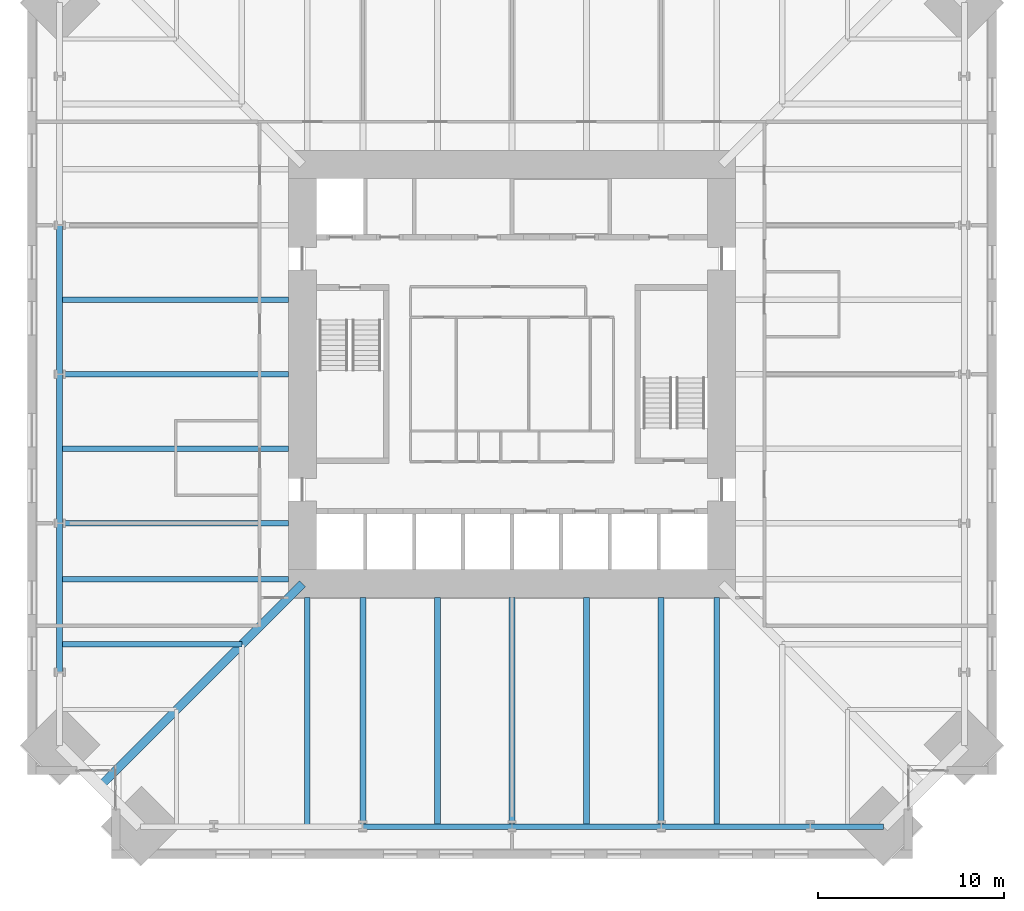
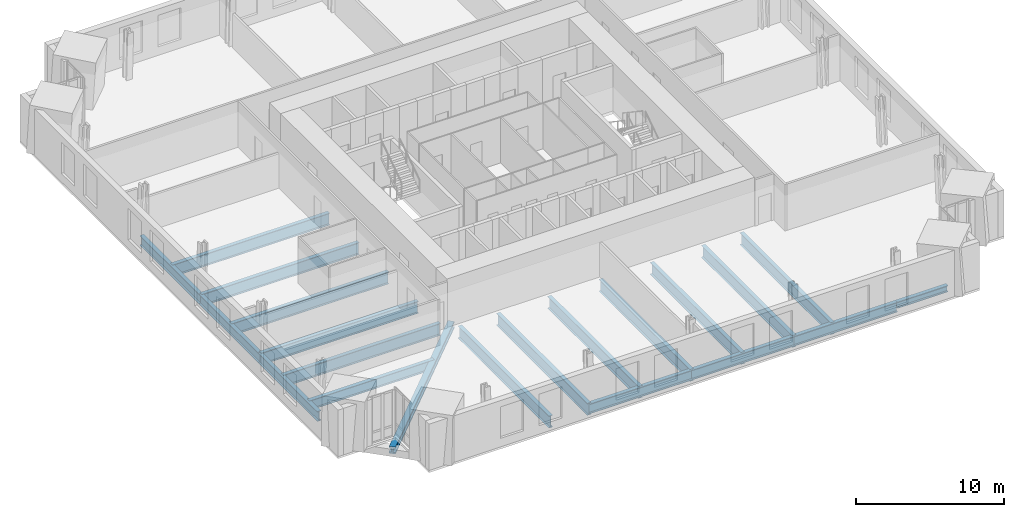
# One storey, part 3 of 18: 21 beams.
"""IFC4 building model written with IfcOpenShell, lengths in metres."""

from ifc_helpers import new_model, si_unit, direction, frame, origin, origin_2d, place, context, subcontext, project, spatial, i_section, extrude, material, material_profile, profile_set, type_object, element, save


model = new_model("IFC4")

# Units and contexts
model_context = context("Model", 3, precision=1e-05, world=origin(), true_north=direction((0.0, 1.0)))
body_context = subcontext(model_context, "Body", "Model", "MODEL_VIEW")
ifc_project = project(units=[si_unit("LENGTHUNIT", "METRE"), si_unit("AREAUNIT", "SQUARE_METRE"), si_unit("VOLUMEUNIT", "CUBIC_METRE"), si_unit("PLANEANGLEUNIT", "RADIAN"), si_unit("MASSUNIT", "GRAM", prefix="KILO")], contexts=[model_context])

# Site, building, storey
site_placement = place(None, origin())
site = spatial("IfcSite", under=ifc_project, at=site_placement, CompositionType="ELEMENT")
building_placement = place(site_placement, origin())
building = spatial("IfcBuilding", under=site, at=building_placement, Name="Peilmerk Tower", CompositionType="ELEMENT")
storey_placement = place(building_placement, frame((0.0, 0.0, 163.800048828125)))
storey = spatial("IfcBuildingStorey", under=building, at=storey_placement, Name="L34", CompositionType="ELEMENT", Elevation=163.800048828125)

# Beams
ifc_material_1 = material(Name="Steel S355", Category="steel")
ifc_material_profile_1 = material_profile(ifc_material_1, i_section(OverallWidth=0.300048828125, OverallDepth=0.989990234375, WebThickness=0.0166015625, FlangeThickness=0.031005859375, at=origin_2d()), Name="HEA 1000")
ifc_profile_set_1 = profile_set([ifc_material_profile_1], Name="Steel S355")
beam_type_1 = type_object("IfcBeamType", Name="B14 HEA 1000 floor girder", PredefinedType="BEAM", material=ifc_profile_set_1)
for number, where, z_axis, x_axis, name in (
    (1, (-11.0, -12.0, -0.6650390625), (0.0, -1.0, 0.0), (1.0, 0.0, 0.0), "Floor beam L34"),
    (2, (-8.0, -12.0, -0.6650390625), (0.0, -1.0, 0.0), (1.0, 0.0, 0.0), "Floor beam L34"),
    (3, (-4.0, -12.0, -0.6650390625), (0.0, -1.0, 0.0), (1.0, 0.0, 0.0), "Floor beam L34"),
    (4, (0.0, -12.0, -0.6650390625), (0.0, -1.0, 0.0), (1.0, 0.0, 0.0), "Floor beam L34"),
    (5, (4.0, -12.0, -0.6650390625), (0.0, -1.0, 0.0), (1.0, 0.0, 0.0), "Floor beam L34"),
    (6, (8.0, -12.0, -0.6650390625), (0.0, -1.0, 0.0), (1.0, 0.0, 0.0), "Floor beam L34"),
    (7, (11.0, -12.0, -0.6650390625), (0.0, -1.0, 0.0), (1.0, 0.0, 0.0), "Floor beam L34"),
    (8, (-12.0, 4.0, -0.6650390625), (-1.0, 0.0, 0.0), (0.0, -1.0, 0.0), "Floor beam L34"),
    (9, (-12.0, 0.0, -0.6650390625), (-1.0, 0.0, 0.0), (0.0, -1.0, 0.0), "Floor beam L34"),
    (10, (-12.0, -4.0, -0.6650390625), (-1.0, 0.0, 0.0), (0.0, -1.0, 0.0), "Floor beam L34"),
    (11, (-12.0, -8.0, -0.6650390625), (-1.0, 0.0, 0.0), (0.0, -1.0, 0.0), "Floor beam L34"),
    (12, (-12.0, -11.0, -0.6650390625), (-1.0, 0.0, 0.0), (0.0, -1.0, 0.0), "Floor beam L34"),
):
    element("IfcBeam", number, at=place(storey_placement, frame(where, z_axis=z_axis, x_axis=x_axis)), inside=storey, type_object=beam_type_1, Name=name, PredefinedType="BEAM", context=body_context, shape_type="SweptSolid", body=[
        extrude(i_section(OverallWidth=0.300048828125, OverallDepth=0.989990234375, WebThickness=0.0166015625, FlangeThickness=0.031005859375, at=origin_2d()), origin(), (0.0, 0.0, 1.0), 12.2919921875),
    ])
ifc_material_profile_2 = material_profile(ifc_material_1, i_section(OverallWidth=0.302978515625, OverallDepth=0.81396484375, WebThickness=0.02099609375, FlangeThickness=0.0400390625, at=origin_2d()), Name="HEM 800")
ifc_profile_set_2 = profile_set([ifc_material_profile_2], Name="Steel S355")
beam_type_2 = type_object("IfcBeamType", Name="B15 HEM 800 edge beam", PredefinedType="SPANDREL", material=ifc_profile_set_2)
for number, where, z_axis, x_axis, name in (
    (13, (-8.0, -24.2919921875, -0.5771484375), (1.0, 0.0, 0.0), (0.0, 1.0, 0.0), "Edge beam L34"),
    (14, (0.0, -24.2919921875, -0.5771484375), (1.0, 0.0, 0.0), (0.0, 1.0, 0.0), "Edge beam L34"),
    (15, (8.0, -24.2919921875, -0.5771484375), (1.0, 0.0, 0.0), (0.0, 1.0, 0.0), "Edge beam L34"),
    (16, (-24.2919921875, 8.0, -0.5771484375), (0.0, -1.0, 0.0), (1.0, 0.0, 0.0), "Edge beam L34"),
    (17, (-24.2919921875, 0.0, -0.5771484375), (0.0, -1.0, 0.0), (1.0, 0.0, 0.0), "Edge beam L34"),
    (18, (-24.2919921875, -8.0, -0.5771484375), (0.0, -1.0, 0.0), (1.0, 0.0, 0.0), "Edge beam L34"),
):
    element("IfcBeam", number, at=place(storey_placement, frame(where, z_axis=z_axis, x_axis=x_axis)), inside=storey, type_object=beam_type_2, Name=name, PredefinedType="SPANDREL", context=body_context, shape_type="SweptSolid", body=[
        extrude(i_section(OverallWidth=0.302978515625, OverallDepth=0.81396484375, WebThickness=0.02099609375, FlangeThickness=0.0400390625, at=origin_2d()), origin(), (0.0, 0.0, 1.0), 8.0),
    ])
ifc_material_profile_3 = material_profile(ifc_material_1, i_section(OverallWidth=0.300048828125, OverallDepth=0.7900390625, WebThickness=0.014892578125, FlangeThickness=0.028076171875, at=origin_2d()), Name="HEA 800")
ifc_profile_set_3 = profile_set([ifc_material_profile_3], Name="Steel S355")
beam_type_3 = type_object("IfcBeamType", Name="B3 HEA 800 floor beam", PredefinedType="BEAM", material=ifc_profile_set_3)
beam_1_placement = place(storey_placement, frame((-14.5, -14.5, -0.56494140625), z_axis=(-1.0, 0.0, 0.0), x_axis=(0.0, -1.0, 0.0)))
element("IfcBeam", 19, at=beam_1_placement, inside=storey, type_object=beam_type_3, Name="Floor beam L34", PredefinedType="BEAM", context=body_context, shape_type="SweptSolid", body=[
    extrude(i_section(OverallWidth=0.300048828125, OverallDepth=0.7900390625, WebThickness=0.014892578125, FlangeThickness=0.028076171875, at=origin_2d()), origin(), (0.0, 0.0, 1.0), 9.7919921875),
])
ifc_material_profile_4 = material_profile(ifc_material_1, i_section(OverallWidth=0.305908203125, OverallDepth=0.52392578125, WebThickness=0.02099609375, FlangeThickness=0.0400390625, at=origin_2d()), Name="HEM 500")
ifc_profile_set_4 = profile_set([ifc_material_profile_4], Name="Steel S355")
beam_type_4 = type_object("IfcBeamType", Name="B33 HEM 500 edge beam", PredefinedType="SPANDREL", material=ifc_profile_set_4)
beam_2_placement = place(storey_placement, frame((16.0, -24.2919921875, -0.43212890625), z_axis=(1.0, 0.0, 0.0), x_axis=(0.0, 1.0, 0.0)))
element("IfcBeam", 20, at=beam_2_placement, inside=storey, type_object=beam_type_4, Name="Edge beam L34", PredefinedType="SPANDREL", context=body_context, shape_type="SweptSolid", body=[
    extrude(i_section(OverallWidth=0.305908203125, OverallDepth=0.52392578125, WebThickness=0.02099609375, FlangeThickness=0.0400390625, at=origin_2d()), origin(), (0.0, 0.0, 1.0), 3.94189453125),
])
ifc_material_2 = material(Name="Steel S460", Category="steel")
ifc_material_profile_5 = material_profile(ifc_material_2, i_section(OverallWidth=0.4541015625, OverallDepth=0.569091796875, WebThickness=0.077880859375, FlangeThickness=0.125, at=origin_2d()), Name="HD 400x1086")
ifc_profile_set_5 = profile_set([ifc_material_profile_5], Name="Steel S460")
beam_type_5 = type_object("IfcBeamType", Name="B9 HD 400x1086 corner girder", PredefinedType="BEAM", material=ifc_profile_set_5)
beam_3_placement = place(storey_placement, frame((-11.25, -11.25, -0.45458984375), z_axis=(-0.707106781187, -0.707106781187, 0.0), x_axis=(0.707106781187, -0.707106781187, 0.0)))
element("IfcBeam", 21, at=beam_3_placement, inside=storey, type_object=beam_type_5, Name="Corner girder L34", PredefinedType="BEAM", context=body_context, shape_type="SweptSolid", body=[
    extrude(i_section(OverallWidth=0.4541015625, OverallDepth=0.569091796875, WebThickness=0.077880859375, FlangeThickness=0.125, at=origin_2d()), origin(), (0.0, 0.0, 1.0), 15.3681640625),
])

save(model, "model.ifc")
